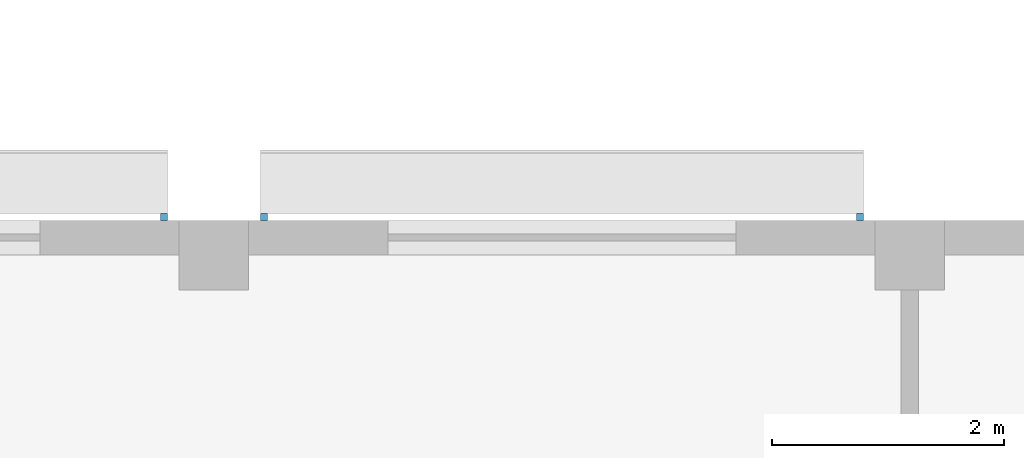
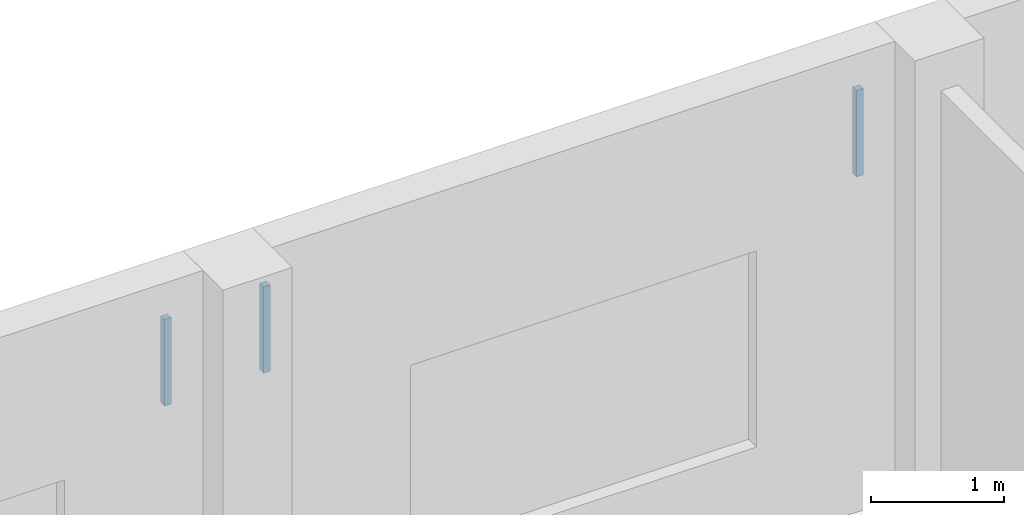
# One storey, part 33 of 45: 3 discrete accessories.
"""IFC4 building model written with IfcOpenShell, lengths in metres."""

from ifc_helpers import new_model, si_unit, direction, frame, origin, origin_2d, place, context, subcontext, project, spatial, rectangle, extrude, material, type_object, element, save


model = new_model("IFC4")

# Units and contexts
model_context = context("Model", 3, precision=1e-05, world=origin(), true_north=direction((0.0, 1.0)))
body_context = subcontext(model_context, "Body", "Model", "MODEL_VIEW")
ifc_project = project(units=[si_unit("LENGTHUNIT", "METRE"), si_unit("AREAUNIT", "SQUARE_METRE"), si_unit("VOLUMEUNIT", "CUBIC_METRE"), si_unit("PLANEANGLEUNIT", "RADIAN"), si_unit("MASSUNIT", "GRAM", prefix="KILO")], contexts=[model_context])

# Site, building, storey
site_placement = place(None, origin())
site = spatial("IfcSite", under=ifc_project, at=site_placement, CompositionType="ELEMENT")
building_placement = place(site_placement, origin())
building = spatial("IfcBuilding", under=site, at=building_placement, Name="Nakaniwa Court", CompositionType="ELEMENT")
storey_placement = place(building_placement, frame((0.0, 0.0, 11.39990234375)))
storey = spatial("IfcBuildingStorey", under=building, at=storey_placement, Name="L02", CompositionType="ELEMENT", Elevation=11.39990234375)

# Discrete accessories
ifc_material = material(Name="Black powder-coated steel bracket S275", Category="steel")
discrete_accessory_type = type_object("IfcDiscreteAccessoryType", Name="Hall black metal louvre bracket", PredefinedType="BRACKET", material=ifc_material)
for number, where, z_axis, x_axis, name in (
    (1, (199.570068359375, 104.030029296875, 2.82861328125), (0.0, 0.0, 1.0), (1.0, 0.0, 0.0), "Louvre bracket L02 017.2"),
    (2, (200.429931640625, 104.030029296875, 2.82861328125), (0.0, 0.0, 1.0), (1.0, 0.0, 0.0), "Louvre bracket L02 018.1"),
    (3, (205.570068359375, 104.030029296875, 2.82861328125), (0.0, 0.0, 1.0), (1.0, 0.0, 0.0), "Louvre bracket L02 018.2"),
):
    element("IfcDiscreteAccessory", number, at=place(storey_placement, frame(where, z_axis=z_axis, x_axis=x_axis)), inside=storey, type_object=discrete_accessory_type, Name=name, PredefinedType="BRACKET", context=body_context, shape_type="SweptSolid", body=[
        extrude(rectangle(XDim=0.06005859375, YDim=0.06005859375, at=origin_2d()), origin(), (0.0, 0.0, 1.0), 0.793212890625),
    ])

save(model, "model.ifc")
